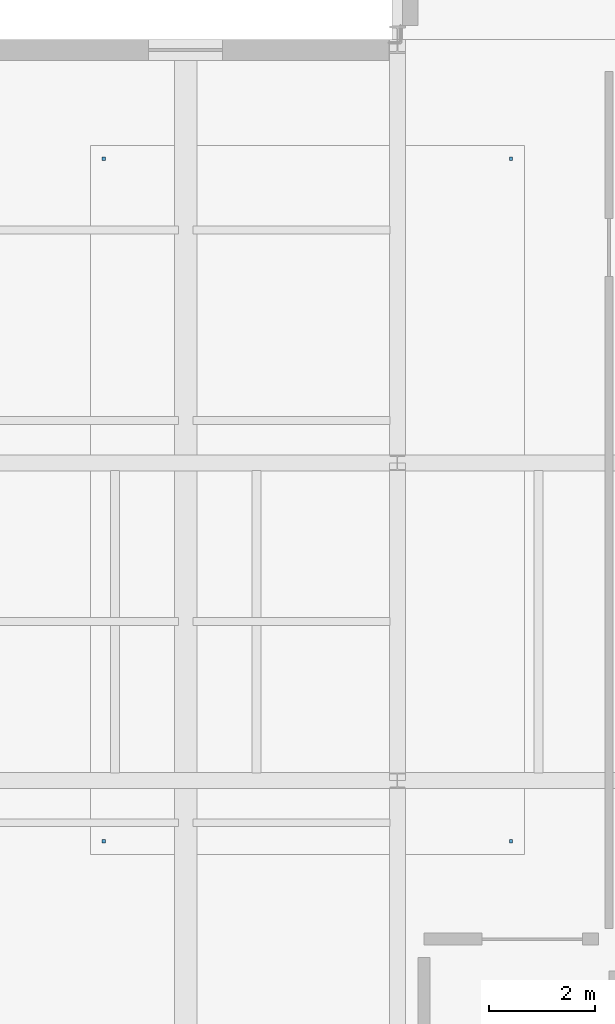
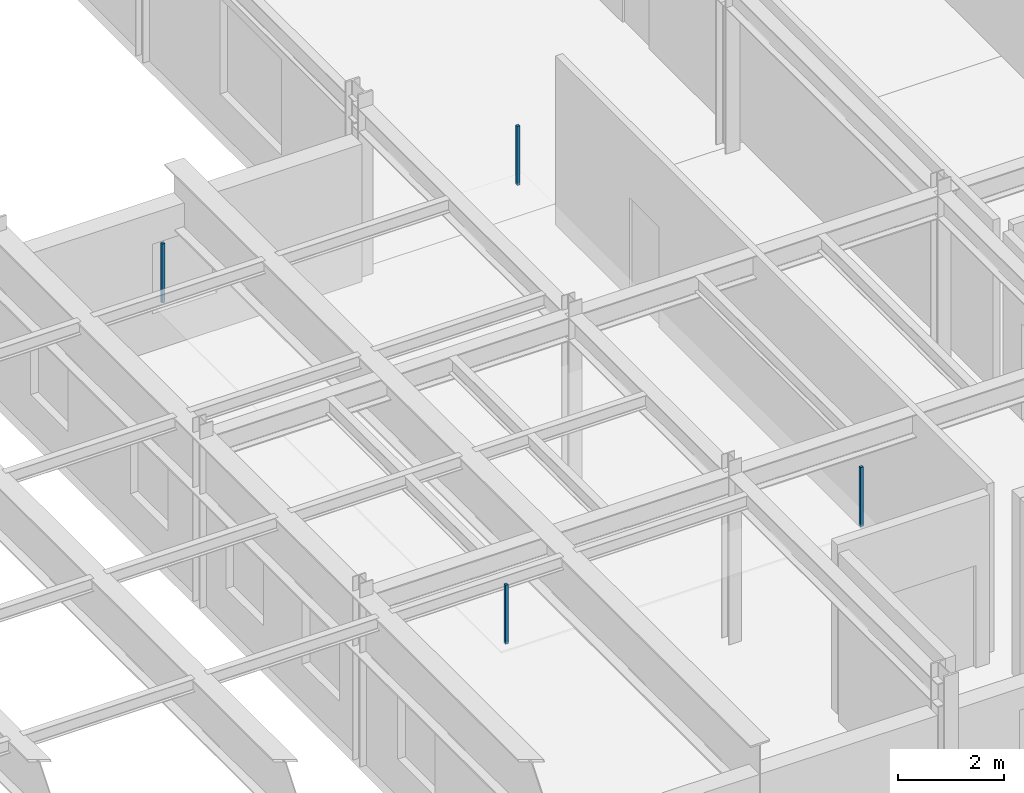
# One storey, part 93 of 122: 4 discrete accessories.
"""IFC4 building model written with IfcOpenShell, lengths in metres."""

from ifc_helpers import new_model, si_unit, direction, frame, origin, origin_2d, place, context, subcontext, project, spatial, rectangle, extrude, material, type_object, element, save


model = new_model("IFC4")

# Units and contexts
model_context = context("Model", 3, precision=1e-05, world=origin(), true_north=direction((0.0, 1.0)))
body_context = subcontext(model_context, "Body", "Model", "MODEL_VIEW")
ifc_project = project(units=[si_unit("LENGTHUNIT", "METRE"), si_unit("AREAUNIT", "SQUARE_METRE"), si_unit("VOLUMEUNIT", "CUBIC_METRE"), si_unit("PLANEANGLEUNIT", "RADIAN"), si_unit("MASSUNIT", "GRAM", prefix="KILO")], contexts=[model_context])

# Site, building, storey
site_placement = place(None, origin())
site = spatial("IfcSite", under=ifc_project, at=site_placement, CompositionType="ELEMENT")
building_placement = place(site_placement, origin())
building = spatial("IfcBuilding", under=site, at=building_placement, Name="Sundkrona Museum", CompositionType="ELEMENT")
storey_placement = place(building_placement, frame((0.0, 0.0, 5.39990234375)))
storey = spatial("IfcBuildingStorey", under=building, at=storey_placement, Name="L01", CompositionType="ELEMENT", Elevation=5.39990234375)

# Discrete accessories
ifc_material = material(Name="Stainless Steel EN 1.4404 Cleat", Category="steel")
discrete_accessory_type = type_object("IfcDiscreteAccessoryType", Name="BRK-FIN-01", PredefinedType="BRACKET", material=ifc_material)
for number, where, z_axis, x_axis, name in (
    (1, (18.449951171875, 38.85009765625, 2.550048828125), (0.0, 0.0, 1.0), (1.0, 0.0, 0.0), "L01 Curatorial Library Ceiling Hanger 1"),
    (2, (26.14990234375, 38.85009765625, 2.550048828125), (0.0, 0.0, 1.0), (1.0, 0.0, 0.0), "L01 Curatorial Library Ceiling Hanger 2"),
    (3, (26.14990234375, 51.75, 2.550048828125), (0.0, 0.0, 1.0), (1.0, 0.0, 0.0), "L01 Curatorial Library Ceiling Hanger 3"),
    (4, (18.449951171875, 51.75, 2.550048828125), (0.0, 0.0, 1.0), (1.0, 0.0, 0.0), "L01 Curatorial Library Ceiling Hanger 4"),
):
    element("IfcDiscreteAccessory", number, at=place(storey_placement, frame(where, z_axis=z_axis, x_axis=x_axis)), inside=storey, type_object=discrete_accessory_type, Name=name, PredefinedType="BRACKET", context=body_context, shape_type="SweptSolid", body=[
        extrude(rectangle(XDim=0.06005859375, YDim=0.06005859375, at=origin_2d()), origin(), (0.0, 0.0, 1.0), 1.35498046875),
    ])

save(model, "model.ifc")
